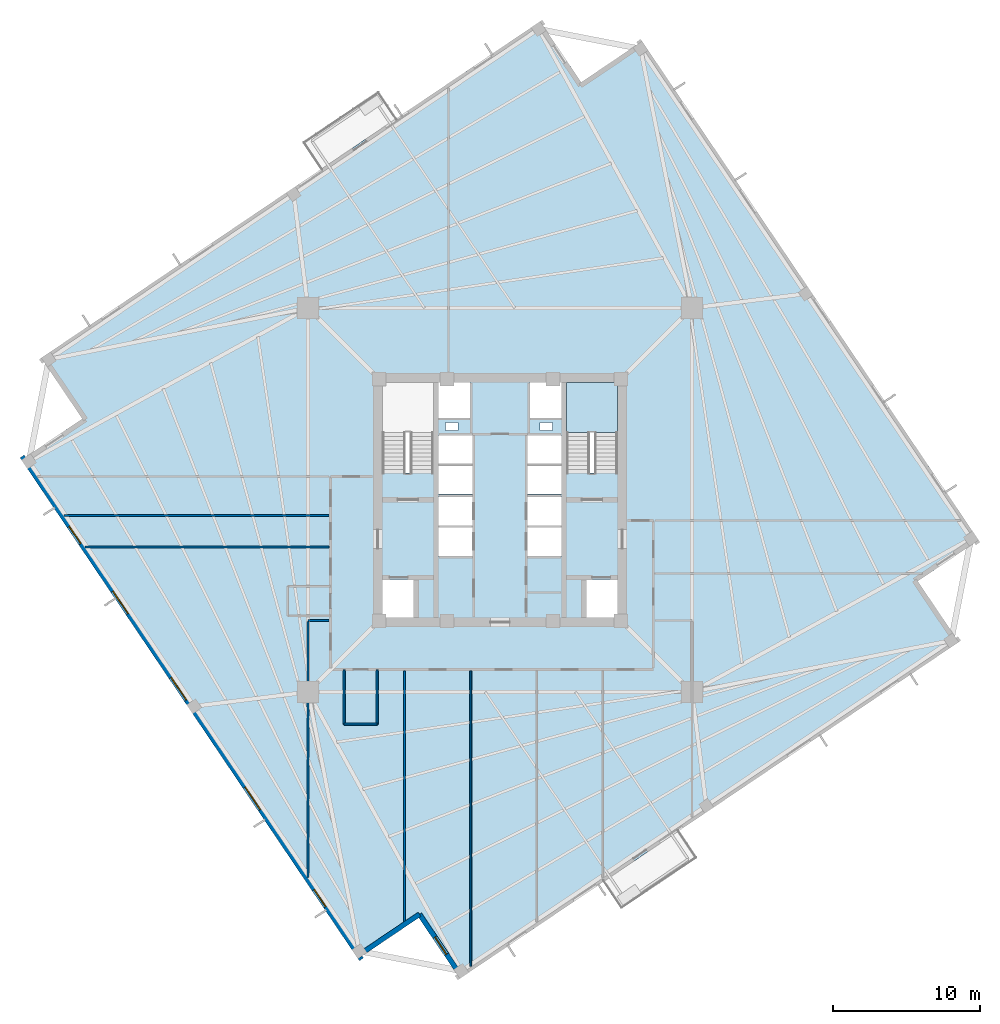
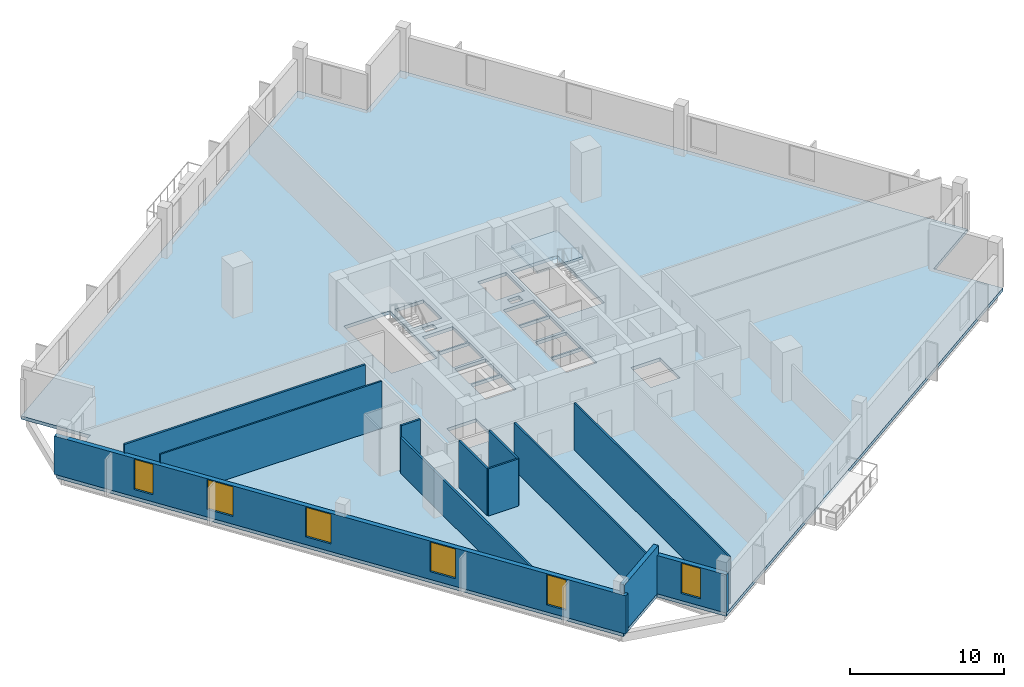
# One storey, part 2 of 9: 12 walls, 6 windows, 2 slabs, 6 openings, 1 element without a shape of its own.
"""IFC4 building model written with IfcOpenShell, lengths in metres."""

from ifc_helpers import new_model, si_unit, direction, frame, frame_2d, origin, place, context, subcontext, project, spatial, polyline, rectangle, outline, extrude, source, transform, mapped, material, layer, layer_set, type_object, element, fill, aggregate, save


model = new_model("IFC4")

# Units and contexts
model_context = context("Model", 3, precision=1e-05, world=origin(), true_north=direction((0.0, 1.0)))
body_context = subcontext(model_context, "Body", "Model", "MODEL_VIEW")
ifc_project = project(units=[si_unit("LENGTHUNIT", "METRE"), si_unit("AREAUNIT", "SQUARE_METRE"), si_unit("VOLUMEUNIT", "CUBIC_METRE"), si_unit("PLANEANGLEUNIT", "RADIAN"), si_unit("MASSUNIT", "GRAM", prefix="KILO"), si_unit("THERMODYNAMICTEMPERATUREUNIT", "KELVIN")], contexts=[model_context])

# Site, building, storey
site_placement = place(None, origin())
site = spatial("IfcSite", under=ifc_project, at=site_placement, CompositionType="ELEMENT")
building_placement = place(site_placement, origin())
building = spatial("IfcBuilding", under=site, at=building_placement, Name="Kosmvard Interchange Tower", CompositionType="ELEMENT")
storey_placement = place(building_placement, frame((0.0, 0.0, 164.39990234375)))
storey = spatial("IfcBuildingStorey", under=building, at=storey_placement, Name="L39", CompositionType="ELEMENT", Elevation=164.39990234375)

# Slab
ifc_material_1 = material(Name="Concrete C50/60", Category="concrete")
ifc_layer_1 = layer(ifc_material_1, 0.260009765625, Name="Concrete C50/60")
ifc_layer_set_1 = layer_set([ifc_layer_1], Name="Concrete C50/60")
slab_type_1 = type_object("IfcSlabType", Name="Mid-Rise Office Composite Slab 260 C50/60", PredefinedType="FLOOR", material=ifc_layer_set_1)
slab_1_placement = place(storey_placement, frame((0.0, 0.0, -0.260009765625)))
element("IfcSlab", 1, at=slab_1_placement, inside=storey, type_object=slab_type_1, Name="L39 Structural Floor Slab", PredefinedType="FLOOR", context=body_context, shape_type="SweptSolid", body=[
    extrude(outline(polyline([(-2.73583984375, -32.60400390625), (31.254638671875, -9.677001953125), (28.458740234375, -5.53173828125), (32.60400390625, -2.73583984375), (9.677001953125, 31.254638671875), (5.53173828125, 28.458740234375), (2.73583984375, 32.60400390625), (-31.254638671875, 9.677001953125), (-28.458740234375, 5.53173828125), (-32.60400390625, 2.73583984375), (-9.677001953125, -31.254638671875), (-5.53173828125, -28.458740234375), (-2.73583984375, -32.60400390625)]), holes=[polyline([(-8.0, 1.8349609375), (-4.5400390625, 1.8349609375), (-4.5400390625, 8.0), (-8.0, 8.0), (-8.0, 1.8349609375)]), polyline([(4.5400390625, 1.8349609375), (8.0, 1.8349609375), (8.0, 8.0), (4.5400390625, 8.0), (4.5400390625, 1.8349609375)]), polyline([(-8.0, -8.0), (-5.800048828125, -8.0), (-5.800048828125, -5.39990234375), (-8.0, -5.39990234375), (-8.0, -8.0)]), polyline([(5.800048828125, -8.0), (8.0, -8.0), (8.0, -5.39990234375), (5.800048828125, -5.39990234375), (5.800048828125, -8.0)]), polyline([(-4.179931640625, -3.800048828125), (-1.8798828125, -3.800048828125), (-1.8798828125, -1.860107421875), (-4.179931640625, -1.860107421875), (-4.179931640625, -3.800048828125)]), polyline([(-4.179931640625, -1.739990234375), (-1.8798828125, -1.739990234375), (-1.8798828125, 0.199951171875), (-4.179931640625, 0.199951171875), (-4.179931640625, -1.739990234375)]), polyline([(1.8798828125, -3.800048828125), (4.179931640625, -3.800048828125), (4.179931640625, -1.860107421875), (1.8798828125, -1.860107421875), (1.8798828125, -3.800048828125)]), polyline([(1.8798828125, -1.739990234375), (4.179931640625, -1.739990234375), (4.179931640625, 0.199951171875), (1.8798828125, 0.199951171875), (1.8798828125, -1.739990234375)]), polyline([(-4.179931640625, 0.39990234375), (-1.8798828125, 0.39990234375), (-1.8798828125, 2.340087890625), (-4.179931640625, 2.340087890625), (-4.179931640625, 0.39990234375)]), polyline([(-4.179931640625, 2.4599609375), (-1.8798828125, 2.4599609375), (-1.8798828125, 4.39990234375), (-4.179931640625, 4.39990234375), (-4.179931640625, 2.4599609375)]), polyline([(1.8798828125, 0.39990234375), (4.179931640625, 0.39990234375), (4.179931640625, 2.340087890625), (1.8798828125, 2.340087890625), (1.8798828125, 0.39990234375)]), polyline([(1.8798828125, 2.4599609375), (4.179931640625, 2.4599609375), (4.179931640625, 4.39990234375), (1.8798828125, 4.39990234375), (1.8798828125, 2.4599609375)]), polyline([(-4.179931640625, 5.60009765625), (-2.0400390625, 5.60009765625), (-2.0400390625, 8.0), (-4.179931640625, 8.0), (-4.179931640625, 5.60009765625)]), polyline([(2.0400390625, 5.60009765625), (4.179931640625, 5.60009765625), (4.179931640625, 8.0), (2.0400390625, 8.0), (2.0400390625, 5.60009765625)]), polyline([(-3.715087890625, 4.739990234375), (-2.864990234375, 4.739990234375), (-2.864990234375, 5.2900390625), (-3.715087890625, 5.2900390625), (-3.715087890625, 4.739990234375)]), polyline([(2.715087890625, 4.739990234375), (3.56494140625, 4.739990234375), (3.56494140625, 5.2900390625), (2.715087890625, 5.2900390625), (2.715087890625, 4.739990234375)])]), origin(), (0.0, 0.0, 1.0), 0.260009765625),
])

# Stair, slab
stair_type = type_object("IfcStairType", Name="Dog-Leg Core Exit Stair H4000 C50/60", PredefinedType="HALF_TURN_STAIR", material=ifc_material_1)
stair_placement = place(storey_placement, origin())
stair = element("IfcStair", 2, at=stair_placement, inside=storey, type_object=stair_type, Name="L39 Protected Exit Stair ST-2", PredefinedType="HALF_TURN_STAIR")
ifc_layer_2 = layer(ifc_material_1, 0.199951171875, Name="Concrete C50/60")
ifc_layer_set_2 = layer_set([ifc_layer_2], Name="Concrete C50/60")
slab_type_2 = type_object("IfcSlabType", Name="Stair Half-Landing Slab 200 C50/60", PredefinedType="LANDING", material=ifc_layer_set_2)
slab_2_placement = place(storey_placement, frame((0.0, 0.0, 1.800048828125)))
slab_2 = element("IfcSlab", 3, at=slab_2_placement, type_object=slab_type_2, Name="ST-2 landing 1", PredefinedType="LANDING", context=body_context, shape_type="SweptSolid", body=[
    extrude(outline(polyline([(8.0, 4.60009765625), (8.0, 8.0), (4.5400390625, 8.0), (4.5400390625, 4.60009765625), (8.0, 4.60009765625)])), origin(), (0.0, 0.0, 1.0), 0.199951171875),
])
aggregate(stair, [slab_2])

# Walls
ifc_material_2 = material(Name="Acoustic gypsum partition system")
ifc_layer_3 = layer(ifc_material_2, 0.14990234375, Name="Acoustic gypsum partition system")
ifc_layer_set_3 = layer_set([ifc_layer_3], Name="Acoustic gypsum partition system")
wall_type_1 = type_object("IfcWallType", Name="Acoustic Suite & Meeting Partition 150", PredefinedType="PARTITIONING", material=ifc_layer_set_3)
wall_1_placement = place(storey_placement, frame((-29.718505859375, -1.050048828125, 0.0), z_axis=(0.0, 0.0, 1.0), x_axis=(1.0, 0.0, 0.0)))
element("IfcWall", 4, at=wall_1_placement, inside=storey, type_object=wall_type_1, Name="L39 Room Partition 02.1", PredefinedType="PARTITIONING", context=body_context, shape_type="SweptSolid", body=[
    extrude(rectangle(XDim=18.073486328125, YDim=0.14990234375, at=frame_2d((9.03662109375, 0.0))), origin(), (0.0, 0.0, 1.0), 3.739990234375),
])
wall_2_placement = place(storey_placement, frame((-11.64501953125, -8.199951171875, 0.0), z_axis=(0.0, 0.0, 1.0), x_axis=(-1.0, 0.0, 0.0)))
element("IfcWall", 5, at=wall_2_placement, inside=storey, type_object=wall_type_1, Name="L39 Room Partition 05.1", PredefinedType="PARTITIONING", context=body_context, shape_type="SweptSolid", body=[
    extrude(rectangle(XDim=1.43603515625, YDim=0.14990234375, at=frame_2d((0.718017578125, 0.0))), origin(), (0.0, 0.0, 1.0), 3.739990234375),
])
wall_3_placement = place(storey_placement, frame((-13.0810546875, -8.27490234375, 0.0), z_axis=(0.0, 0.0, 1.0), x_axis=(0.0, -1.0, 0.0)))
element("IfcWall", 6, at=wall_3_placement, inside=storey, type_object=wall_type_1, Name="L39 Room Partition 06.1", PredefinedType="PARTITIONING", context=body_context, shape_type="SweptSolid", body=[
    extrude(rectangle(XDim=17.44140625, YDim=0.14990234375, at=frame_2d((8.720703125, 0.0))), origin(), (0.0, 0.0, 1.0), 2.840087890625),
])

# Wall, openings, windows
ifc_material_3 = material(Name="Precast concrete C45/55", Category="concrete")
ifc_layer_4 = layer(ifc_material_3, 0.340087890625, Name="Precast concrete C45/55")
ifc_layer_set_4 = layer_set([ifc_layer_4], Name="Precast concrete C45/55")
wall_type_2 = type_object("IfcWallType", Name="Mid Tower Precast Pier Wall 340 C45/55", PredefinedType="STANDARD", material=ifc_layer_set_4)
wall_4_placement = place(storey_placement, frame((-32.55810546875, 2.971923828125, 0.0), z_axis=(0.0, 0.0, 1.0), x_axis=(0.559194910251, -0.829036218961, 0.0)))
wall_4 = element("IfcWall", 7, at=wall_4_placement, inside=storey, type_object=wall_type_2, Name="L39 Precast Facade Wall F-W", PredefinedType="STANDARD", context=body_context, shape_type="SweptSolid", body=[
    extrude(rectangle(XDim=41.340087890625, YDim=0.340087890625, at=frame_2d((20.669921875, 0.0))), origin(), (0.0, 0.0, 1.0), 3.0400390625),
])
opening_1_placement = place(wall_4_placement, frame((5.7607421875, 0.0, 0.56005859375)))
opening_1 = element("IfcOpeningElement", 8, at=opening_1_placement, cuts=wall_4, Name="Opening L39-W16", PredefinedType="OPENING", context=body_context, shape_type="SweptSolid", body=[
    extrude(rectangle(XDim=1.39990234375, YDim=2.39990234375, at=frame_2d((0.699951171875, 1.199951171875))), frame((0.0, 0.18017578125, 0.0), z_axis=(0.0, -1.0, 0.0), x_axis=(1.0, 0.0, 0.0)), (0.0, 0.0, 1.0), 0.360107421875),
])
opening_2_placement = place(wall_4_placement, frame((11.063720703125, 0.0, 0.610107421875)))
opening_2 = element("IfcOpeningElement", 9, at=opening_2_placement, cuts=wall_4, Name="Opening L39-W17", PredefinedType="OPENING", context=body_context, shape_type="SweptSolid", body=[
    extrude(rectangle(XDim=1.85009765625, YDim=2.35009765625, at=frame_2d((0.925048828125, 1.175048828125))), frame((0.0, 0.18017578125, 0.0), z_axis=(0.0, -1.0, 0.0), x_axis=(1.0, 0.0, 0.0)), (0.0, 0.0, 1.0), 0.360107421875),
])
opening_3_placement = place(wall_4_placement, frame((18.168212890625, 0.0, 0.610107421875)))
opening_3 = element("IfcOpeningElement", 10, at=opening_3_placement, cuts=wall_4, Name="Opening L39-W18", PredefinedType="OPENING", context=body_context, shape_type="SweptSolid", body=[
    extrude(rectangle(XDim=1.85009765625, YDim=2.35009765625, at=frame_2d((0.925048828125, 1.175048828125))), frame((0.0, 0.18017578125, 0.0), z_axis=(0.0, -1.0, 0.0), x_axis=(1.0, 0.0, 0.0)), (0.0, 0.0, 1.0), 0.360107421875),
])
opening_4_placement = place(wall_4_placement, frame((27.186279296875, 0.0, 0.610107421875)))
opening_4 = element("IfcOpeningElement", 11, at=opening_4_placement, cuts=wall_4, Name="Opening L39-W19", PredefinedType="OPENING", context=body_context, shape_type="SweptSolid", body=[
    extrude(rectangle(XDim=1.85009765625, YDim=2.35009765625, at=frame_2d((0.925048828125, 1.175048828125))), frame((0.0, 0.18017578125, 0.0), z_axis=(0.0, -1.0, 0.0), x_axis=(1.0, 0.0, 0.0)), (0.0, 0.0, 1.0), 0.360107421875),
])
opening_5_placement = place(wall_4_placement, frame((35.602294921875, 0.0, 0.56005859375)))
opening_5 = element("IfcOpeningElement", 12, at=opening_5_placement, cuts=wall_4, Name="Opening L39-W20", PredefinedType="OPENING", context=body_context, shape_type="SweptSolid", body=[
    extrude(rectangle(XDim=1.39990234375, YDim=2.39990234375, at=frame_2d((0.699951171875, 1.199951171875))), frame((0.0, 0.18017578125, 0.0), z_axis=(0.0, -1.0, 0.0), x_axis=(1.0, 0.0, 0.0)), (0.0, 0.0, 1.0), 0.360107421875),
])
ifc_material_4 = material(Name="Low-E solar-control double glazing", Category="glass")
window_type_1 = type_object("IfcWindowType", Name="Notched Corner Feature Window 1400x2400", PartitioningType="SINGLE_PANEL", PredefinedType="WINDOW", material=ifc_material_4)
shared_shape_1 = source(origin(), body_context, "Body", "SweptSolid", [
    extrude(rectangle(XDim=1.39990234375, YDim=2.39990234375, at=frame_2d((0.699951171875, 1.199951171875))), frame((0.0, 0.030029296875, 0.0), z_axis=(0.0, -1.0, 0.0), x_axis=(1.0, 0.0, 0.0)), (0.0, 0.0, 1.0), 0.06005859375),
])
window_1_placement = place(opening_1_placement, origin())
window_1 = element("IfcWindow", 13, at=window_1_placement, inside=storey, type_object=window_type_1, Name="L39 Facade Punched Window 16", OverallHeight=2.39990234375, OverallWidth=1.39990234375, PartitioningType="SINGLE_PANEL", PredefinedType="WINDOW", context=body_context, shape_type="MappedRepresentation", body=[
    mapped(shared_shape_1, transform((0.0, 0.0, 0.0), scale=1.0)),
])
fill(opening_1, window_1)
window_2_placement = place(opening_5_placement, origin())
window_2 = element("IfcWindow", 14, at=window_2_placement, inside=storey, type_object=window_type_1, Name="L39 Facade Punched Window 20", OverallHeight=2.39990234375, OverallWidth=1.39990234375, PartitioningType="SINGLE_PANEL", PredefinedType="WINDOW", context=body_context, shape_type="MappedRepresentation", body=[
    mapped(shared_shape_1, transform((0.0, 0.0, 0.0), scale=1.0)),
])
fill(opening_5, window_2)
window_type_2 = type_object("IfcWindowType", Name="Zone 3 Office Punched Window 1850x2350", PartitioningType="SINGLE_PANEL", PredefinedType="WINDOW", material=ifc_material_4)
shared_shape_2 = source(origin(), body_context, "Body", "SweptSolid", [
    extrude(rectangle(XDim=1.85009765625, YDim=2.35009765625, at=frame_2d((0.925048828125, 1.175048828125))), frame((0.0, 0.030029296875, 0.0), z_axis=(0.0, -1.0, 0.0), x_axis=(1.0, 0.0, 0.0)), (0.0, 0.0, 1.0), 0.06005859375),
])
window_3_placement = place(opening_2_placement, origin())
window_3 = element("IfcWindow", 15, at=window_3_placement, inside=storey, type_object=window_type_2, Name="L39 Facade Punched Window 17", OverallHeight=2.35009765625, OverallWidth=1.85009765625, PartitioningType="SINGLE_PANEL", PredefinedType="WINDOW", context=body_context, shape_type="MappedRepresentation", body=[
    mapped(shared_shape_2, transform((0.0, 0.0, 0.0), scale=1.0)),
])
fill(opening_2, window_3)
window_4_placement = place(opening_3_placement, origin())
window_4 = element("IfcWindow", 16, at=window_4_placement, inside=storey, type_object=window_type_2, Name="L39 Facade Punched Window 18", OverallHeight=2.35009765625, OverallWidth=1.85009765625, PartitioningType="SINGLE_PANEL", PredefinedType="WINDOW", context=body_context, shape_type="MappedRepresentation", body=[
    mapped(shared_shape_2, transform((0.0, 0.0, 0.0), scale=1.0)),
])
fill(opening_3, window_4)
window_5_placement = place(opening_4_placement, origin())
window_5 = element("IfcWindow", 17, at=window_5_placement, inside=storey, type_object=window_type_2, Name="L39 Facade Punched Window 19", OverallHeight=2.35009765625, OverallWidth=1.85009765625, PartitioningType="SINGLE_PANEL", PredefinedType="WINDOW", context=body_context, shape_type="MappedRepresentation", body=[
    mapped(shared_shape_2, transform((0.0, 0.0, 0.0), scale=1.0)),
])
fill(opening_4, window_5)

# Wall
wall_5_placement = place(storey_placement, frame((-9.631103515625, -31.018798828125, 0.0), z_axis=(0.0, 0.0, 1.0), x_axis=(0.829025804298, 0.559210350234, 0.0)))
element("IfcWall", 18, at=wall_5_placement, inside=storey, type_object=wall_type_2, Name="L39 Precast Facade Wall N-SW1", PredefinedType="STANDARD", context=body_context, shape_type="SweptSolid", body=[
    extrude(rectangle(XDim=5.000244140625, YDim=0.340087890625, at=frame_2d((2.5, 0.0))), origin(), (0.0, 0.0, 1.0), 3.739990234375),
])

# Wall, opening, window
wall_6_placement = place(storey_placement, frame((-5.48583984375, -28.22265625, 0.0), z_axis=(0.0, 0.0, 1.0), x_axis=(0.559171107879, -0.82905227345, 0.0)))
wall_6 = element("IfcWall", 19, at=wall_6_placement, inside=storey, type_object=wall_type_2, Name="L39 Precast Facade Wall N-SW2", PredefinedType="STANDARD", context=body_context, shape_type="SweptSolid", body=[
    extrude(rectangle(XDim=5.169921875, YDim=0.340087890625, at=frame_2d((2.5849609375, 0.0))), origin(), (0.0, 0.0, 1.0), 3.0400390625),
])
opening_6_placement = place(wall_6_placement, frame((1.885009765625, 0.0, 0.56005859375)))
opening_6 = element("IfcOpeningElement", 20, at=opening_6_placement, cuts=wall_6, Name="Opening L39-W24", PredefinedType="OPENING", context=body_context, shape_type="SweptSolid", body=[
    extrude(rectangle(XDim=1.39990234375, YDim=2.39990234375, at=frame_2d((0.699951171875, 1.199951171875))), frame((0.0, 0.18017578125, 0.0), z_axis=(0.0, -1.0, 0.0), x_axis=(1.0, 0.0, 0.0)), (0.0, 0.0, 1.0), 0.360107421875),
])
window_6_placement = place(opening_6_placement, origin())
window_6 = element("IfcWindow", 21, at=window_6_placement, inside=storey, type_object=window_type_1, Name="L39 Corner Notch Window 24", OverallHeight=2.39990234375, OverallWidth=1.39990234375, PartitioningType="SINGLE_PANEL", PredefinedType="WINDOW", context=body_context, shape_type="MappedRepresentation", body=[
    mapped(shared_shape_1, transform((0.0, 0.0, 0.0), scale=1.0)),
])
fill(opening_6, window_6)

# Walls
ifc_material_5 = material(Name="Gypsum board partition system")
ifc_layer_5 = layer(ifc_material_5, 0.1201171875, Name="Gypsum board partition system")
ifc_layer_set_5 = layer_set([ifc_layer_5], Name="Gypsum board partition system")
wall_type_3 = type_object("IfcWallType", Name="Office Cellular Partition 120", PredefinedType="PARTITIONING", material=ifc_layer_set_5)
wall_7_placement = place(storey_placement, frame((-28.268310546875, -3.199951171875, 0.0), z_axis=(0.0, 0.0, 1.0), x_axis=(1.0, 0.0, 0.0)))
element("IfcWall", 22, at=wall_7_placement, inside=storey, type_object=wall_type_3, Name="L39 Room Partition 07.1", PredefinedType="PARTITIONING", context=body_context, shape_type="SweptSolid", body=[
    extrude(rectangle(XDim=16.623291015625, YDim=0.1201171875, at=frame_2d((8.3115234375, 0.0))), origin(), (0.0, 0.0, 1.0), 3.739990234375),
])
wall_8_placement = place(storey_placement, frame((-6.5, -28.780029296875, 0.0), z_axis=(0.0, 0.0, 1.0), x_axis=(0.0, 1.0, 0.0)))
element("IfcWall", 23, at=wall_8_placement, inside=storey, type_object=wall_type_3, Name="L39 Room Partition 08.1", PredefinedType="PARTITIONING", context=body_context, shape_type="SweptSolid", body=[
    extrude(rectangle(XDim=17.135009765625, YDim=0.1201171875, at=frame_2d((8.5673828125, 0.0))), origin(), (0.0, 0.0, 1.0), 3.739990234375),
])
wall_9_placement = place(storey_placement, frame((-2.0, -31.77587890625, 0.0), z_axis=(0.0, 0.0, 1.0), x_axis=(0.0, 1.0, 0.0)))
element("IfcWall", 24, at=wall_9_placement, inside=storey, type_object=wall_type_3, Name="L39 Room Partition 09.1", PredefinedType="PARTITIONING", context=body_context, shape_type="SweptSolid", body=[
    extrude(rectangle(XDim=20.130859375, YDim=0.1201171875, at=frame_2d((10.0654296875, 0.0))), origin(), (0.0, 0.0, 1.0), 3.739990234375),
])
ifc_material_6 = material(Name="Moisture-resistant gypsum partition")
ifc_layer_6 = layer(ifc_material_6, 0.135009765625, Name="Moisture-resistant gypsum partition")
ifc_layer_set_6 = layer_set([ifc_layer_6], Name="Moisture-resistant gypsum partition")
wall_type_4 = type_object("IfcWallType", Name="Wet Room Moisture-Resistant Partition 135", PredefinedType="PARTITIONING", material=ifc_layer_set_6)
wall_10_placement = place(storey_placement, frame((-10.6201171875, -15.27001953125, 0.0), z_axis=(0.0, 0.0, 1.0), x_axis=(1.0, 0.0, 0.0)))
element("IfcWall", 25, at=wall_10_placement, inside=storey, type_object=wall_type_4, Name="L39 Washroom Partition WC1-S", PredefinedType="PARTITIONING", context=body_context, shape_type="SweptSolid", body=[
    extrude(rectangle(XDim=2.25, YDim=0.135009765625, at=frame_2d((1.125, 0.0))), origin(), (0.0, 0.0, 1.0), 3.739990234375),
])
for number, where, z_axis, x_axis, name in (
    (26, (-8.3701171875, -15.27001953125, 0.0), (0.0, 0.0, 1.0), (0.0, 1.0, 0.0), "L39 Washroom Partition WC1-E"),
    (27, (-10.6201171875, -15.27001953125, 0.0), (0.0, 0.0, 1.0), (0.0, 1.0, 0.0), "L39 Washroom Partition WC1-W"),
):
    element("IfcWall", number, at=place(storey_placement, frame(where, z_axis=z_axis, x_axis=x_axis)), inside=storey, type_object=wall_type_4, Name=name, PredefinedType="PARTITIONING", context=body_context, shape_type="SweptSolid", body=[
        extrude(rectangle(XDim=3.699951171875, YDim=0.135009765625, at=frame_2d((1.85009765625, 0.0))), origin(), (0.0, 0.0, 1.0), 3.739990234375),
    ])

save(model, "model.ifc")
